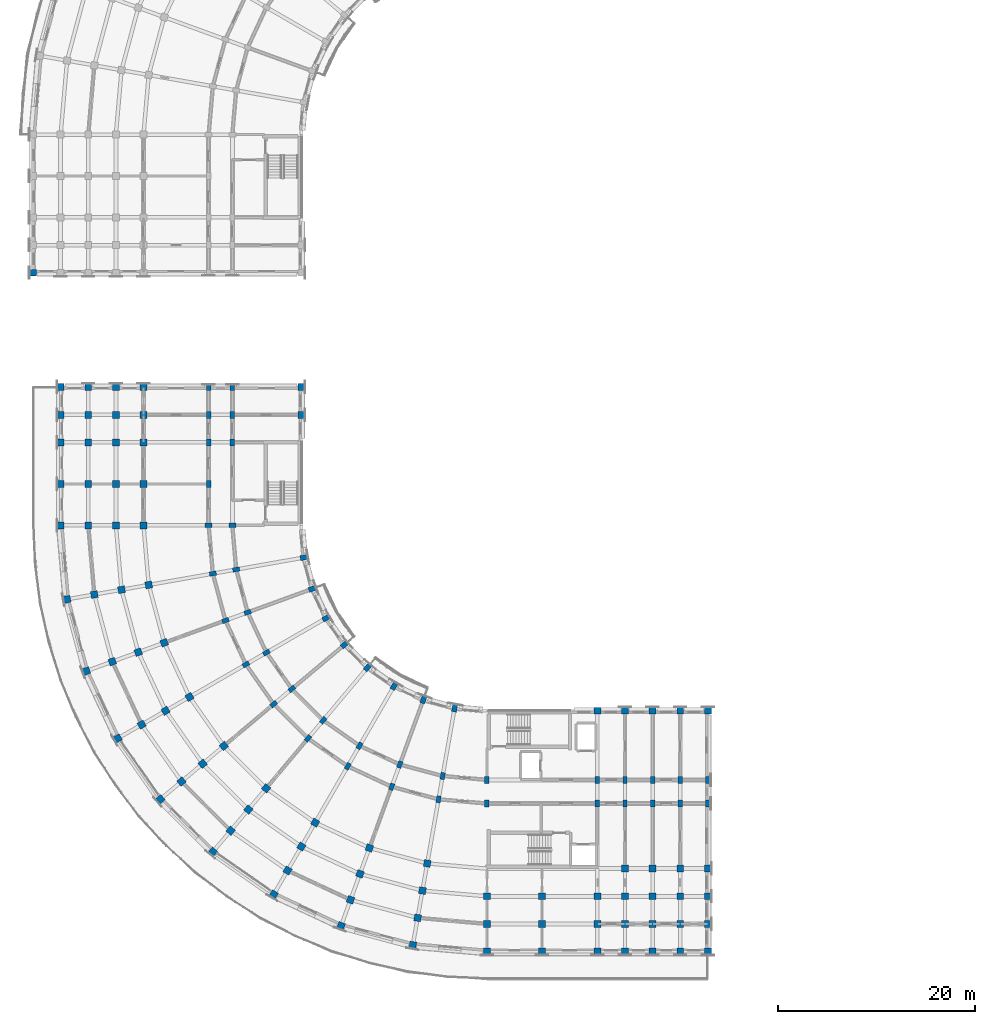
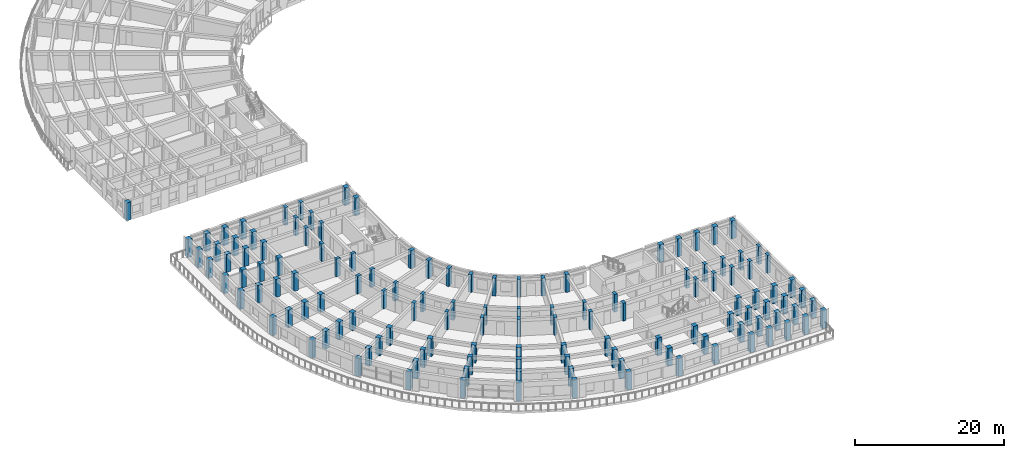
# One storey, part 1 of 57: 130 columns.
"""IFC4 building model written with IfcOpenShell, lengths in metres."""

from ifc_helpers import new_model, si_unit, direction, frame, origin, origin_2d, place, context, subcontext, project, spatial, rectangle, extrude, material, material_profile, profile_set, type_object, element, save


model = new_model("IFC4")

# Units and contexts
model_context = context("Model", 3, precision=1e-05, world=origin(), true_north=direction((0.0, 1.0)))
body_context = subcontext(model_context, "Body", "Model", "MODEL_VIEW")
ifc_project = project(units=[si_unit("LENGTHUNIT", "METRE"), si_unit("AREAUNIT", "SQUARE_METRE"), si_unit("VOLUMEUNIT", "CUBIC_METRE"), si_unit("PLANEANGLEUNIT", "RADIAN"), si_unit("MASSUNIT", "GRAM", prefix="KILO")], contexts=[model_context])

# Site, building, storey
site_placement = place(None, origin())
site = spatial("IfcSite", under=ifc_project, at=site_placement, CompositionType="ELEMENT")
building_placement = place(site_placement, origin())
building = spatial("IfcBuilding", under=site, at=building_placement, Name="Kiranvali Square Residences", CompositionType="ELEMENT")
storey_placement = place(building_placement, frame((0.0, 0.0, 21.300048828125)))
storey = spatial("IfcBuildingStorey", under=building, at=storey_placement, Name="L06", CompositionType="ELEMENT", Elevation=21.300048828125)

# Columns
ifc_material_1 = material(Name="Concrete M45 (45 MPa)", Category="concrete")
ifc_material_profile_1 = material_profile(ifc_material_1, rectangle(XDim=0.699951171875, YDim=0.699951171875, at=origin_2d()), Name="RC 700x700")
ifc_profile_set_1 = profile_set([ifc_material_profile_1], Name="Concrete M45 (45 MPa)")
column_type_1 = type_object("IfcColumnType", Name="COL-M45-700", PredefinedType="COLUMN", material=ifc_profile_set_1)
for number, where, z_axis, x_axis, name in (
    (1, (2.199951171875, 73.800048828125, 0.0), (0.0, 0.0, 1.0), (1.0, 0.0, 0.0), "Block A L06 Arm 2 column V3-R7"),
    (2, (48.199951171875, 10.60009765625, 0.0), (0.0, 0.0, 1.0), (1.0, 0.0, 0.0), "Block C L06 radial column A00-R4"),
    (3, (48.199951171875, 7.800048828125, 0.0), (0.0, 0.0, 1.0), (1.0, 0.0, 0.0), "Block C L06 radial column A00-R5"),
):
    element("IfcColumn", number, at=place(storey_placement, frame(where, z_axis=z_axis, x_axis=x_axis)), inside=storey, type_object=column_type_1, Name=name, PredefinedType="COLUMN", context=body_context, shape_type="SweptSolid", body=[
        extrude(rectangle(XDim=0.699951171875, YDim=0.699951171875, at=origin_2d()), origin(), (0.0, 0.0, 1.0), 2.929931640625),
    ])
column_1_placement = place(storey_placement, frame((48.199951171875, 5.0, 0.0), z_axis=(0.0, 0.0, 1.0), x_axis=(1.0, 0.0, 0.0)))
element("IfcColumn", 4, at=column_1_placement, inside=storey, type_object=column_type_1, Name="Block C L06 radial column A00-R6", PredefinedType="COLUMN", context=body_context, shape_type="SweptSolid", body=[
    extrude(rectangle(XDim=0.699951171875, YDim=0.699951171875, at=origin_2d()), origin(), (0.0, 0.0, 1.0), 2.969970703125),
])
for number, where, z_axis, x_axis, name in (
    (5, (42.156982421875, 13.9287109375, 0.0), (0.0, 0.0, 1.0), (-0.984807753012, 0.173648177667, 0.0), "Block C L06 radial column A01-R3"),
    (6, (41.6708984375, 11.171142578125, 0.0), (0.0, 0.0, 1.0), (-0.984807753012, 0.173648177667, 0.0), "Block C L06 radial column A01-R4"),
    (7, (41.1845703125, 8.413818359375, 0.0), (0.0, 0.0, 1.0), (-0.984807753012, 0.173648177667, 0.0), "Block C L06 radial column A01-R5"),
):
    element("IfcColumn", number, at=place(storey_placement, frame(where, z_axis=z_axis, x_axis=x_axis)), inside=storey, type_object=column_type_1, Name=name, PredefinedType="COLUMN", context=body_context, shape_type="SweptSolid", body=[
        extrude(rectangle(XDim=0.699951171875, YDim=0.699951171875, at=origin_2d()), origin(), (0.0, 0.0, 1.0), 2.929931640625),
    ])
column_2_placement = place(storey_placement, frame((40.698486328125, 5.65625, 0.0), z_axis=(0.0, 0.0, 1.0), x_axis=(-0.984807753012, 0.173648177667, 0.0)))
element("IfcColumn", 8, at=column_2_placement, inside=storey, type_object=column_type_1, Name="Block C L06 radial column A01-R6", PredefinedType="COLUMN", context=body_context, shape_type="SweptSolid", body=[
    extrude(rectangle(XDim=0.699951171875, YDim=0.699951171875, at=origin_2d()), origin(), (0.0, 0.0, 1.0), 2.969970703125),
])
for number, where, z_axis, x_axis, name in (
    (9, (36.297607421875, 15.498779296875, 0.0), (0.0, 0.0, 1.0), (-0.939692620786, 0.342020143326, 0.0), "Block C L06 radial column A02-R3"),
    (10, (35.340087890625, 12.86767578125, 0.0), (0.0, 0.0, 1.0), (-0.939692620786, 0.342020143326, 0.0), "Block C L06 radial column A02-R4"),
    (11, (34.38232421875, 10.236328125, 0.0), (0.0, 0.0, 1.0), (-0.939692620786, 0.342020143326, 0.0), "Block C L06 radial column A02-R5"),
):
    element("IfcColumn", number, at=place(storey_placement, frame(where, z_axis=z_axis, x_axis=x_axis)), inside=storey, type_object=column_type_1, Name=name, PredefinedType="COLUMN", context=body_context, shape_type="SweptSolid", body=[
        extrude(rectangle(XDim=0.699951171875, YDim=0.699951171875, at=origin_2d()), origin(), (0.0, 0.0, 1.0), 2.929931640625),
    ])
column_3_placement = place(storey_placement, frame((33.4248046875, 7.605224609375, 0.0), z_axis=(0.0, 0.0, 1.0), x_axis=(-0.939692620786, 0.342020143326, 0.0)))
element("IfcColumn", 12, at=column_3_placement, inside=storey, type_object=column_type_1, Name="Block C L06 radial column A02-R6", PredefinedType="COLUMN", context=body_context, shape_type="SweptSolid", body=[
    extrude(rectangle(XDim=0.699951171875, YDim=0.699951171875, at=origin_2d()), origin(), (0.0, 0.0, 1.0), 2.969970703125),
])
for number, where, z_axis, x_axis, name in (
    (13, (30.800048828125, 18.062255859375, 0.0), (0.0, 0.0, 1.0), (-0.866025403784, 0.5, 0.0), "Block C L06 radial column A03-R3"),
    (14, (29.39990234375, 15.637451171875, 0.0), (0.0, 0.0, 1.0), (-0.866025403784, 0.5, 0.0), "Block C L06 radial column A03-R4"),
    (15, (28.0, 13.212646484375, 0.0), (0.0, 0.0, 1.0), (-0.866025403784, 0.5, 0.0), "Block C L06 radial column A03-R5"),
):
    element("IfcColumn", number, at=place(storey_placement, frame(where, z_axis=z_axis, x_axis=x_axis)), inside=storey, type_object=column_type_1, Name=name, PredefinedType="COLUMN", context=body_context, shape_type="SweptSolid", body=[
        extrude(rectangle(XDim=0.699951171875, YDim=0.699951171875, at=origin_2d()), origin(), (0.0, 0.0, 1.0), 2.929931640625),
    ])
column_4_placement = place(storey_placement, frame((26.60009765625, 10.78759765625, 0.0), z_axis=(0.0, 0.0, 1.0), x_axis=(-0.866025403784, 0.5, 0.0)))
element("IfcColumn", 16, at=column_4_placement, inside=storey, type_object=column_type_1, Name="Block C L06 radial column A03-R6", PredefinedType="COLUMN", context=body_context, shape_type="SweptSolid", body=[
    extrude(rectangle(XDim=0.699951171875, YDim=0.699951171875, at=origin_2d()), origin(), (0.0, 0.0, 1.0), 2.969970703125),
])
for number, where, z_axis, x_axis, name in (
    (17, (25.8310546875, 21.541748046875, 0.0), (0.0, 0.0, 1.0), (-0.766044443119, 0.642787609687, 0.0), "Block C L06 radial column A04-R3"),
    (18, (24.03125, 19.396728515625, 0.0), (0.0, 0.0, 1.0), (-0.766044443119, 0.642787609687, 0.0), "Block C L06 radial column A04-R4"),
    (19, (22.2314453125, 17.251708984375, 0.0), (0.0, 0.0, 1.0), (-0.766044443119, 0.642787609687, 0.0), "Block C L06 radial column A04-R5"),
):
    element("IfcColumn", number, at=place(storey_placement, frame(where, z_axis=z_axis, x_axis=x_axis)), inside=storey, type_object=column_type_1, Name=name, PredefinedType="COLUMN", context=body_context, shape_type="SweptSolid", body=[
        extrude(rectangle(XDim=0.699951171875, YDim=0.699951171875, at=origin_2d()), origin(), (0.0, 0.0, 1.0), 2.929931640625),
    ])
column_5_placement = place(storey_placement, frame((20.431640625, 15.10693359375, 0.0), z_axis=(0.0, 0.0, 1.0), x_axis=(-0.766044443119, 0.642787609687, 0.0)))
element("IfcColumn", 20, at=column_5_placement, inside=storey, type_object=column_type_1, Name="Block C L06 radial column A04-R6", PredefinedType="COLUMN", context=body_context, shape_type="SweptSolid", body=[
    extrude(rectangle(XDim=0.699951171875, YDim=0.699951171875, at=origin_2d()), origin(), (0.0, 0.0, 1.0), 2.969970703125),
])
for number, where, z_axis, x_axis, name in (
    (21, (21.541748046875, 25.8310546875, 0.0), (0.0, 0.0, 1.0), (-0.642787609687, 0.766044443119, 0.0), "Block C L06 radial column A05-R3"),
    (22, (19.396728515625, 24.03125, 0.0), (0.0, 0.0, 1.0), (-0.642787609687, 0.766044443119, 0.0), "Block C L06 radial column A05-R4"),
    (23, (17.251708984375, 22.2314453125, 0.0), (0.0, 0.0, 1.0), (-0.642787609687, 0.766044443119, 0.0), "Block C L06 radial column A05-R5"),
):
    element("IfcColumn", number, at=place(storey_placement, frame(where, z_axis=z_axis, x_axis=x_axis)), inside=storey, type_object=column_type_1, Name=name, PredefinedType="COLUMN", context=body_context, shape_type="SweptSolid", body=[
        extrude(rectangle(XDim=0.699951171875, YDim=0.699951171875, at=origin_2d()), origin(), (0.0, 0.0, 1.0), 2.929931640625),
    ])
column_6_placement = place(storey_placement, frame((15.10693359375, 20.431640625, 0.0), z_axis=(0.0, 0.0, 1.0), x_axis=(-0.642787609687, 0.766044443119, 0.0)))
element("IfcColumn", 24, at=column_6_placement, inside=storey, type_object=column_type_1, Name="Block C L06 radial column A05-R6", PredefinedType="COLUMN", context=body_context, shape_type="SweptSolid", body=[
    extrude(rectangle(XDim=0.699951171875, YDim=0.699951171875, at=origin_2d()), origin(), (0.0, 0.0, 1.0), 2.969970703125),
])
for number, where, z_axis, x_axis, name in (
    (25, (18.062255859375, 30.800048828125, 0.0), (0.0, 0.0, 1.0), (-0.5, 0.866025403784, 0.0), "Block C L06 radial column A06-R3"),
    (26, (15.637451171875, 29.39990234375, 0.0), (0.0, 0.0, 1.0), (-0.5, 0.866025403784, 0.0), "Block C L06 radial column A06-R4"),
    (27, (13.212646484375, 28.0, 0.0), (0.0, 0.0, 1.0), (-0.5, 0.866025403784, 0.0), "Block C L06 radial column A06-R5"),
):
    element("IfcColumn", number, at=place(storey_placement, frame(where, z_axis=z_axis, x_axis=x_axis)), inside=storey, type_object=column_type_1, Name=name, PredefinedType="COLUMN", context=body_context, shape_type="SweptSolid", body=[
        extrude(rectangle(XDim=0.699951171875, YDim=0.699951171875, at=origin_2d()), origin(), (0.0, 0.0, 1.0), 2.929931640625),
    ])
column_7_placement = place(storey_placement, frame((10.78759765625, 26.60009765625, 0.0), z_axis=(0.0, 0.0, 1.0), x_axis=(-0.5, 0.866025403784, 0.0)))
element("IfcColumn", 28, at=column_7_placement, inside=storey, type_object=column_type_1, Name="Block C L06 radial column A06-R6", PredefinedType="COLUMN", context=body_context, shape_type="SweptSolid", body=[
    extrude(rectangle(XDim=0.699951171875, YDim=0.699951171875, at=origin_2d()), origin(), (0.0, 0.0, 1.0), 2.969970703125),
])
for number, where, z_axis, x_axis, name in (
    (29, (15.498779296875, 36.297607421875, 0.0), (0.0, 0.0, 1.0), (-0.342020143326, 0.939692620786, 0.0), "Block C L06 radial column A07-R3"),
    (30, (12.86767578125, 35.340087890625, 0.0), (0.0, 0.0, 1.0), (-0.342020143326, 0.939692620786, 0.0), "Block C L06 radial column A07-R4"),
    (31, (10.236328125, 34.38232421875, 0.0), (0.0, 0.0, 1.0), (-0.342020143326, 0.939692620786, 0.0), "Block C L06 radial column A07-R5"),
):
    element("IfcColumn", number, at=place(storey_placement, frame(where, z_axis=z_axis, x_axis=x_axis)), inside=storey, type_object=column_type_1, Name=name, PredefinedType="COLUMN", context=body_context, shape_type="SweptSolid", body=[
        extrude(rectangle(XDim=0.699951171875, YDim=0.699951171875, at=origin_2d()), origin(), (0.0, 0.0, 1.0), 2.929931640625),
    ])
column_8_placement = place(storey_placement, frame((7.605224609375, 33.4248046875, 0.0), z_axis=(0.0, 0.0, 1.0), x_axis=(-0.342020143326, 0.939692620786, 0.0)))
element("IfcColumn", 32, at=column_8_placement, inside=storey, type_object=column_type_1, Name="Block C L06 radial column A07-R6", PredefinedType="COLUMN", context=body_context, shape_type="SweptSolid", body=[
    extrude(rectangle(XDim=0.699951171875, YDim=0.699951171875, at=origin_2d()), origin(), (0.0, 0.0, 1.0), 2.969970703125),
])
for number, where, z_axis, x_axis, name in (
    (33, (13.9287109375, 42.156982421875, 0.0), (0.0, 0.0, 1.0), (-0.173648177667, 0.984807753012, 0.0), "Block C L06 radial column A08-R3"),
    (34, (11.171142578125, 41.6708984375, 0.0), (0.0, 0.0, 1.0), (-0.173648177667, 0.984807753012, 0.0), "Block C L06 radial column A08-R4"),
    (35, (8.413818359375, 41.1845703125, 0.0), (0.0, 0.0, 1.0), (-0.173648177667, 0.984807753012, 0.0), "Block C L06 radial column A08-R5"),
):
    element("IfcColumn", number, at=place(storey_placement, frame(where, z_axis=z_axis, x_axis=x_axis)), inside=storey, type_object=column_type_1, Name=name, PredefinedType="COLUMN", context=body_context, shape_type="SweptSolid", body=[
        extrude(rectangle(XDim=0.699951171875, YDim=0.699951171875, at=origin_2d()), origin(), (0.0, 0.0, 1.0), 2.929931640625),
    ])
column_9_placement = place(storey_placement, frame((5.65625, 40.698486328125, 0.0), z_axis=(0.0, 0.0, 1.0), x_axis=(-0.173648177667, 0.984807753012, 0.0)))
element("IfcColumn", 36, at=column_9_placement, inside=storey, type_object=column_type_1, Name="Block C L06 radial column A08-R6", PredefinedType="COLUMN", context=body_context, shape_type="SweptSolid", body=[
    extrude(rectangle(XDim=0.699951171875, YDim=0.699951171875, at=origin_2d()), origin(), (0.0, 0.0, 1.0), 2.969970703125),
])
for number, where, z_axis, x_axis, name in (
    (37, (13.39990234375, 48.199951171875, 0.0), (0.0, 0.0, 1.0), (0.0, 1.0, 0.0), "Block C L06 radial column A09-R3"),
    (38, (10.60009765625, 48.199951171875, 0.0), (0.0, 0.0, 1.0), (0.0, 1.0, 0.0), "Block C L06 radial column A09-R4"),
    (39, (7.800048828125, 48.199951171875, 0.0), (0.0, 0.0, 1.0), (0.0, 1.0, 0.0), "Block C L06 radial column A09-R5"),
):
    element("IfcColumn", number, at=place(storey_placement, frame(where, z_axis=z_axis, x_axis=x_axis)), inside=storey, type_object=column_type_1, Name=name, PredefinedType="COLUMN", context=body_context, shape_type="SweptSolid", body=[
        extrude(rectangle(XDim=0.699951171875, YDim=0.699951171875, at=origin_2d()), origin(), (0.0, 0.0, 1.0), 2.929931640625),
    ])
column_10_placement = place(storey_placement, frame((5.0, 48.199951171875, 0.0), z_axis=(0.0, 0.0, 1.0), x_axis=(0.0, 1.0, 0.0)))
element("IfcColumn", 40, at=column_10_placement, inside=storey, type_object=column_type_1, Name="Block C L06 radial column A09-R6", PredefinedType="COLUMN", context=body_context, shape_type="SweptSolid", body=[
    extrude(rectangle(XDim=0.699951171875, YDim=0.699951171875, at=origin_2d()), origin(), (0.0, 0.0, 1.0), 2.969970703125),
])
for number, where, z_axis, x_axis, name in (
    (41, (53.800048828125, 10.60009765625, 0.0), (0.0, 0.0, 1.0), (1.0, 0.0, 0.0), "Block C L06 core-front column U0-R4"),
    (42, (53.800048828125, 7.800048828125, 0.0), (0.0, 0.0, 1.0), (1.0, 0.0, 0.0), "Block C L06 core-front column U0-R5"),
):
    element("IfcColumn", number, at=place(storey_placement, frame(where, z_axis=z_axis, x_axis=x_axis)), inside=storey, type_object=column_type_1, Name=name, PredefinedType="COLUMN", context=body_context, shape_type="SweptSolid", body=[
        extrude(rectangle(XDim=0.699951171875, YDim=0.699951171875, at=origin_2d()), origin(), (0.0, 0.0, 1.0), 2.929931640625),
    ])
column_11_placement = place(storey_placement, frame((53.800048828125, 5.0, 0.0), z_axis=(0.0, 0.0, 1.0), x_axis=(1.0, 0.0, 0.0)))
element("IfcColumn", 43, at=column_11_placement, inside=storey, type_object=column_type_1, Name="Block C L06 core-front column U0-R6", PredefinedType="COLUMN", context=body_context, shape_type="SweptSolid", body=[
    extrude(rectangle(XDim=0.699951171875, YDim=0.699951171875, at=origin_2d()), origin(), (0.0, 0.0, 1.0), 2.969970703125),
])
for number, where, z_axis, x_axis, name in (
    (44, (59.39990234375, 29.39990234375, 0.0), (0.0, 0.0, 1.0), (1.0, 0.0, 0.0), "Block C L06 Arm 1 column U1-R0"),
    (45, (59.39990234375, 10.60009765625, 0.0), (0.0, 0.0, 1.0), (1.0, 0.0, 0.0), "Block C L06 Arm 1 column U1-R4"),
    (46, (59.39990234375, 7.800048828125, 0.0), (0.0, 0.0, 1.0), (1.0, 0.0, 0.0), "Block C L06 Arm 1 column U1-R5"),
):
    element("IfcColumn", number, at=place(storey_placement, frame(where, z_axis=z_axis, x_axis=x_axis)), inside=storey, type_object=column_type_1, Name=name, PredefinedType="COLUMN", context=body_context, shape_type="SweptSolid", body=[
        extrude(rectangle(XDim=0.699951171875, YDim=0.699951171875, at=origin_2d()), origin(), (0.0, 0.0, 1.0), 2.929931640625),
    ])
column_12_placement = place(storey_placement, frame((59.39990234375, 5.0, 0.0), z_axis=(0.0, 0.0, 1.0), x_axis=(1.0, 0.0, 0.0)))
element("IfcColumn", 47, at=column_12_placement, inside=storey, type_object=column_type_1, Name="Block C L06 Arm 1 column U1-R6", PredefinedType="COLUMN", context=body_context, shape_type="SweptSolid", body=[
    extrude(rectangle(XDim=0.699951171875, YDim=0.699951171875, at=origin_2d()), origin(), (0.0, 0.0, 1.0), 2.969970703125),
])
for number, where, z_axis, x_axis, name in (
    (48, (62.199951171875, 29.39990234375, 0.0), (0.0, 0.0, 1.0), (1.0, 0.0, 0.0), "Block C L06 Arm 1 column U2-R0"),
    (49, (62.199951171875, 13.39990234375, 0.0), (0.0, 0.0, 1.0), (1.0, 0.0, 0.0), "Block C L06 Arm 1 column U2-R3"),
    (50, (62.199951171875, 10.60009765625, 0.0), (0.0, 0.0, 1.0), (1.0, 0.0, 0.0), "Block C L06 Arm 1 column U2-R4"),
    (51, (62.199951171875, 7.800048828125, 0.0), (0.0, 0.0, 1.0), (1.0, 0.0, 0.0), "Block C L06 Arm 1 column U2-R5"),
):
    element("IfcColumn", number, at=place(storey_placement, frame(where, z_axis=z_axis, x_axis=x_axis)), inside=storey, type_object=column_type_1, Name=name, PredefinedType="COLUMN", context=body_context, shape_type="SweptSolid", body=[
        extrude(rectangle(XDim=0.699951171875, YDim=0.699951171875, at=origin_2d()), origin(), (0.0, 0.0, 1.0), 2.929931640625),
    ])
column_13_placement = place(storey_placement, frame((62.199951171875, 5.0, 0.0), z_axis=(0.0, 0.0, 1.0), x_axis=(1.0, 0.0, 0.0)))
element("IfcColumn", 52, at=column_13_placement, inside=storey, type_object=column_type_1, Name="Block C L06 Arm 1 column U2-R6", PredefinedType="COLUMN", context=body_context, shape_type="SweptSolid", body=[
    extrude(rectangle(XDim=0.699951171875, YDim=0.699951171875, at=origin_2d()), origin(), (0.0, 0.0, 1.0), 2.969970703125),
])
for number, where, z_axis, x_axis, name in (
    (53, (65.0, 29.39990234375, 0.0), (0.0, 0.0, 1.0), (1.0, 0.0, 0.0), "Block C L06 Arm 1 column U3-R0"),
    (54, (65.0, 13.39990234375, 0.0), (0.0, 0.0, 1.0), (1.0, 0.0, 0.0), "Block C L06 Arm 1 column U3-R3"),
    (55, (65.0, 10.60009765625, 0.0), (0.0, 0.0, 1.0), (1.0, 0.0, 0.0), "Block C L06 Arm 1 column U3-R4"),
    (56, (65.0, 7.800048828125, 0.0), (0.0, 0.0, 1.0), (1.0, 0.0, 0.0), "Block C L06 Arm 1 column U3-R5"),
):
    element("IfcColumn", number, at=place(storey_placement, frame(where, z_axis=z_axis, x_axis=x_axis)), inside=storey, type_object=column_type_1, Name=name, PredefinedType="COLUMN", context=body_context, shape_type="SweptSolid", body=[
        extrude(rectangle(XDim=0.699951171875, YDim=0.699951171875, at=origin_2d()), origin(), (0.0, 0.0, 1.0), 2.929931640625),
    ])
column_14_placement = place(storey_placement, frame((65.0, 5.0, 0.0), z_axis=(0.0, 0.0, 1.0), x_axis=(1.0, 0.0, 0.0)))
element("IfcColumn", 57, at=column_14_placement, inside=storey, type_object=column_type_1, Name="Block C L06 Arm 1 column U3-R6", PredefinedType="COLUMN", context=body_context, shape_type="SweptSolid", body=[
    extrude(rectangle(XDim=0.699951171875, YDim=0.699951171875, at=origin_2d()), origin(), (0.0, 0.0, 1.0), 2.969970703125),
])
for number, where, z_axis, x_axis, name in (
    (58, (67.800048828125, 29.39990234375, 0.0), (0.0, 0.0, 1.0), (1.0, 0.0, 0.0), "Block C L06 Arm 1 column U4-R0"),
    (59, (67.800048828125, 13.39990234375, 0.0), (0.0, 0.0, 1.0), (1.0, 0.0, 0.0), "Block C L06 Arm 1 column U4-R3"),
    (60, (67.800048828125, 10.60009765625, 0.0), (0.0, 0.0, 1.0), (1.0, 0.0, 0.0), "Block C L06 Arm 1 column U4-R4"),
    (61, (67.800048828125, 7.800048828125, 0.0), (0.0, 0.0, 1.0), (1.0, 0.0, 0.0), "Block C L06 Arm 1 column U4-R5"),
):
    element("IfcColumn", number, at=place(storey_placement, frame(where, z_axis=z_axis, x_axis=x_axis)), inside=storey, type_object=column_type_1, Name=name, PredefinedType="COLUMN", context=body_context, shape_type="SweptSolid", body=[
        extrude(rectangle(XDim=0.699951171875, YDim=0.699951171875, at=origin_2d()), origin(), (0.0, 0.0, 1.0), 2.929931640625),
    ])
column_15_placement = place(storey_placement, frame((67.800048828125, 5.0, 0.0), z_axis=(0.0, 0.0, 1.0), x_axis=(1.0, 0.0, 0.0)))
element("IfcColumn", 62, at=column_15_placement, inside=storey, type_object=column_type_1, Name="Block C L06 Arm 1 column U4-R6", PredefinedType="COLUMN", context=body_context, shape_type="SweptSolid", body=[
    extrude(rectangle(XDim=0.699951171875, YDim=0.699951171875, at=origin_2d()), origin(), (0.0, 0.0, 1.0), 2.969970703125),
])
for number, where, z_axis, x_axis, name in (
    (63, (70.60009765625, 29.39990234375, 0.0), (0.0, 0.0, 1.0), (1.0, 0.0, 0.0), "Block C L06 Arm 1 column U5-R0"),
    (64, (70.60009765625, 13.39990234375, 0.0), (0.0, 0.0, 1.0), (1.0, 0.0, 0.0), "Block C L06 Arm 1 column U5-R3"),
    (65, (70.60009765625, 10.60009765625, 0.0), (0.0, 0.0, 1.0), (1.0, 0.0, 0.0), "Block C L06 Arm 1 column U5-R4"),
    (66, (70.60009765625, 7.800048828125, 0.0), (0.0, 0.0, 1.0), (1.0, 0.0, 0.0), "Block C L06 Arm 1 column U5-R5"),
):
    element("IfcColumn", number, at=place(storey_placement, frame(where, z_axis=z_axis, x_axis=x_axis)), inside=storey, type_object=column_type_1, Name=name, PredefinedType="COLUMN", context=body_context, shape_type="SweptSolid", body=[
        extrude(rectangle(XDim=0.699951171875, YDim=0.699951171875, at=origin_2d()), origin(), (0.0, 0.0, 1.0), 2.929931640625),
    ])
column_16_placement = place(storey_placement, frame((70.60009765625, 5.0, 0.0), z_axis=(0.0, 0.0, 1.0), x_axis=(1.0, 0.0, 0.0)))
element("IfcColumn", 67, at=column_16_placement, inside=storey, type_object=column_type_1, Name="Block C L06 Arm 1 column U5-R6", PredefinedType="COLUMN", context=body_context, shape_type="SweptSolid", body=[
    extrude(rectangle(XDim=0.699951171875, YDim=0.699951171875, at=origin_2d()), origin(), (0.0, 0.0, 1.0), 2.969970703125),
])
for number, where, z_axis, x_axis, name in (
    (68, (13.39990234375, 52.39990234375, 0.0), (0.0, 0.0, 1.0), (1.0, 0.0, 0.0), "Block C L06 Arm 2 mid-core column V0-R3"),
    (69, (10.60009765625, 52.39990234375, 0.0), (0.0, 0.0, 1.0), (1.0, 0.0, 0.0), "Block C L06 Arm 2 mid-core column V0-R4"),
    (70, (7.800048828125, 52.39990234375, 0.0), (0.0, 0.0, 1.0), (1.0, 0.0, 0.0), "Block C L06 Arm 2 mid-core column V0-R5"),
):
    element("IfcColumn", number, at=place(storey_placement, frame(where, z_axis=z_axis, x_axis=x_axis)), inside=storey, type_object=column_type_1, Name=name, PredefinedType="COLUMN", context=body_context, shape_type="SweptSolid", body=[
        extrude(rectangle(XDim=0.699951171875, YDim=0.699951171875, at=origin_2d()), origin(), (0.0, 0.0, 1.0), 2.929931640625),
    ])
column_17_placement = place(storey_placement, frame((5.0, 52.39990234375, 0.0), z_axis=(0.0, 0.0, 1.0), x_axis=(1.0, 0.0, 0.0)))
element("IfcColumn", 71, at=column_17_placement, inside=storey, type_object=column_type_1, Name="Block C L06 Arm 2 mid-core column V0-R6", PredefinedType="COLUMN", context=body_context, shape_type="SweptSolid", body=[
    extrude(rectangle(XDim=0.699951171875, YDim=0.699951171875, at=origin_2d()), origin(), (0.0, 0.0, 1.0), 2.969970703125),
])
for number, where, z_axis, x_axis, name in (
    (72, (13.39990234375, 56.60009765625, 0.0), (0.0, 0.0, 1.0), (1.0, 0.0, 0.0), "Block C L06 Arm 2 column V1-R3"),
    (73, (10.60009765625, 56.60009765625, 0.0), (0.0, 0.0, 1.0), (1.0, 0.0, 0.0), "Block C L06 Arm 2 column V1-R4"),
    (74, (7.800048828125, 56.60009765625, 0.0), (0.0, 0.0, 1.0), (1.0, 0.0, 0.0), "Block C L06 Arm 2 column V1-R5"),
):
    element("IfcColumn", number, at=place(storey_placement, frame(where, z_axis=z_axis, x_axis=x_axis)), inside=storey, type_object=column_type_1, Name=name, PredefinedType="COLUMN", context=body_context, shape_type="SweptSolid", body=[
        extrude(rectangle(XDim=0.699951171875, YDim=0.699951171875, at=origin_2d()), origin(), (0.0, 0.0, 1.0), 2.929931640625),
    ])
column_18_placement = place(storey_placement, frame((5.0, 56.60009765625, 0.0), z_axis=(0.0, 0.0, 1.0), x_axis=(1.0, 0.0, 0.0)))
element("IfcColumn", 75, at=column_18_placement, inside=storey, type_object=column_type_1, Name="Block C L06 Arm 2 column V1-R6", PredefinedType="COLUMN", context=body_context, shape_type="SweptSolid", body=[
    extrude(rectangle(XDim=0.699951171875, YDim=0.699951171875, at=origin_2d()), origin(), (0.0, 0.0, 1.0), 2.969970703125),
])
for number, where, z_axis, x_axis, name in (
    (76, (29.39990234375, 59.39990234375, 0.0), (0.0, 0.0, 1.0), (1.0, 0.0, 0.0), "Block C L06 Arm 2 column V2-R0"),
    (77, (13.39990234375, 59.39990234375, 0.0), (0.0, 0.0, 1.0), (1.0, 0.0, 0.0), "Block C L06 Arm 2 column V2-R3"),
    (78, (10.60009765625, 59.39990234375, 0.0), (0.0, 0.0, 1.0), (1.0, 0.0, 0.0), "Block C L06 Arm 2 column V2-R4"),
    (79, (7.800048828125, 59.39990234375, 0.0), (0.0, 0.0, 1.0), (1.0, 0.0, 0.0), "Block C L06 Arm 2 column V2-R5"),
):
    element("IfcColumn", number, at=place(storey_placement, frame(where, z_axis=z_axis, x_axis=x_axis)), inside=storey, type_object=column_type_1, Name=name, PredefinedType="COLUMN", context=body_context, shape_type="SweptSolid", body=[
        extrude(rectangle(XDim=0.699951171875, YDim=0.699951171875, at=origin_2d()), origin(), (0.0, 0.0, 1.0), 2.929931640625),
    ])
column_19_placement = place(storey_placement, frame((5.0, 59.39990234375, 0.0), z_axis=(0.0, 0.0, 1.0), x_axis=(1.0, 0.0, 0.0)))
element("IfcColumn", 80, at=column_19_placement, inside=storey, type_object=column_type_1, Name="Block C L06 Arm 2 column V2-R6", PredefinedType="COLUMN", context=body_context, shape_type="SweptSolid", body=[
    extrude(rectangle(XDim=0.699951171875, YDim=0.699951171875, at=origin_2d()), origin(), (0.0, 0.0, 1.0), 2.969970703125),
])
for number, where, z_axis, x_axis, name in (
    (81, (29.39990234375, 62.199951171875, 0.0), (0.0, 0.0, 1.0), (1.0, 0.0, 0.0), "Block C L06 Arm 2 column V3-R0"),
    (82, (13.39990234375, 62.199951171875, 0.0), (0.0, 0.0, 1.0), (1.0, 0.0, 0.0), "Block C L06 Arm 2 column V3-R3"),
    (83, (10.60009765625, 62.199951171875, 0.0), (0.0, 0.0, 1.0), (1.0, 0.0, 0.0), "Block C L06 Arm 2 column V3-R4"),
    (84, (7.800048828125, 62.199951171875, 0.0), (0.0, 0.0, 1.0), (1.0, 0.0, 0.0), "Block C L06 Arm 2 column V3-R5"),
):
    element("IfcColumn", number, at=place(storey_placement, frame(where, z_axis=z_axis, x_axis=x_axis)), inside=storey, type_object=column_type_1, Name=name, PredefinedType="COLUMN", context=body_context, shape_type="SweptSolid", body=[
        extrude(rectangle(XDim=0.699951171875, YDim=0.699951171875, at=origin_2d()), origin(), (0.0, 0.0, 1.0), 2.929931640625),
    ])
column_20_placement = place(storey_placement, frame((5.0, 62.199951171875, 0.0), z_axis=(0.0, 0.0, 1.0), x_axis=(1.0, 0.0, 0.0)))
element("IfcColumn", 85, at=column_20_placement, inside=storey, type_object=column_type_1, Name="Block C L06 Arm 2 column V3-R6", PredefinedType="COLUMN", context=body_context, shape_type="SweptSolid", body=[
    extrude(rectangle(XDim=0.699951171875, YDim=0.699951171875, at=origin_2d()), origin(), (0.0, 0.0, 1.0), 2.969970703125),
])
ifc_material_profile_2 = material_profile(ifc_material_1, rectangle(XDim=0.449951171875, YDim=0.699951171875, at=origin_2d()), Name="RC 700x450")
ifc_profile_set_2 = profile_set([ifc_material_profile_2], Name="Concrete M45 (45 MPa)")
column_type_2 = type_object("IfcColumnType", Name="COL-M45-700x450", PredefinedType="COLUMN", material=ifc_profile_set_2)
for number, where, z_axis, x_axis, name in (
    (86, (48.199951171875, 22.39990234375, 0.0), (0.0, 0.0, 1.0), (1.0, 0.0, 0.0), "Block C L06 radial column A00-R1"),
    (87, (48.199951171875, 20.0, 0.0), (0.0, 0.0, 1.0), (1.0, 0.0, 0.0), "Block C L06 radial column A00-R2"),
    (88, (43.719970703125, 22.7919921875, 0.0), (0.0, 0.0, 1.0), (-0.984807753012, 0.173648177667, 0.0), "Block C L06 radial column A01-R1"),
    (89, (43.30322265625, 20.428466796875, 0.0), (0.0, 0.0, 1.0), (-0.984807753012, 0.173648177667, 0.0), "Block C L06 radial column A01-R2"),
    (90, (39.3759765625, 23.955810546875, 0.0), (0.0, 0.0, 1.0), (-0.939692620786, 0.342020143326, 0.0), "Block C L06 radial column A02-R1"),
    (91, (38.554931640625, 21.70068359375, 0.0), (0.0, 0.0, 1.0), (-0.939692620786, 0.342020143326, 0.0), "Block C L06 radial column A02-R2"),
    (92, (35.300048828125, 25.8564453125, 0.0), (0.0, 0.0, 1.0), (-0.866025403784, 0.5, 0.0), "Block C L06 radial column A03-R1"),
    (93, (34.10009765625, 23.778076171875, 0.0), (0.0, 0.0, 1.0), (-0.866025403784, 0.5, 0.0), "Block C L06 radial column A03-R2"),
    (94, (31.615966796875, 28.43603515625, 0.0), (0.0, 0.0, 1.0), (-0.766044443119, 0.642787609687, 0.0), "Block C L06 radial column A04-R1"),
    (95, (30.073486328125, 26.59765625, 0.0), (0.0, 0.0, 1.0), (-0.766044443119, 0.642787609687, 0.0), "Block C L06 radial column A04-R2"),
    (96, (28.43603515625, 31.615966796875, 0.0), (0.0, 0.0, 1.0), (-0.642787609687, 0.766044443119, 0.0), "Block C L06 radial column A05-R1"),
    (97, (26.59765625, 30.073486328125, 0.0), (0.0, 0.0, 1.0), (-0.642787609687, 0.766044443119, 0.0), "Block C L06 radial column A05-R2"),
    (98, (25.8564453125, 35.300048828125, 0.0), (0.0, 0.0, 1.0), (-0.5, 0.866025403784, 0.0), "Block C L06 radial column A06-R1"),
    (99, (23.778076171875, 34.10009765625, 0.0), (0.0, 0.0, 1.0), (-0.5, 0.866025403784, 0.0), "Block C L06 radial column A06-R2"),
    (100, (23.955810546875, 39.3759765625, 0.0), (0.0, 0.0, 1.0), (-0.342020143326, 0.939692620786, 0.0), "Block C L06 radial column A07-R1"),
    (101, (21.70068359375, 38.554931640625, 0.0), (0.0, 0.0, 1.0), (-0.342020143326, 0.939692620786, 0.0), "Block C L06 radial column A07-R2"),
    (102, (22.7919921875, 43.719970703125, 0.0), (0.0, 0.0, 1.0), (-0.173648177667, 0.984807753012, 0.0), "Block C L06 radial column A08-R1"),
    (103, (20.428466796875, 43.30322265625, 0.0), (0.0, 0.0, 1.0), (-0.173648177667, 0.984807753012, 0.0), "Block C L06 radial column A08-R2"),
    (104, (22.39990234375, 48.199951171875, 0.0), (0.0, 0.0, 1.0), (0.0, 1.0, 0.0), "Block C L06 radial column A09-R1"),
    (105, (20.0, 48.199951171875, 0.0), (0.0, 0.0, 1.0), (0.0, 1.0, 0.0), "Block C L06 radial column A09-R2"),
    (106, (59.39990234375, 22.39990234375, 0.0), (0.0, 0.0, 1.0), (1.0, 0.0, 0.0), "Block C L06 Arm 1 column U1-R1"),
    (107, (59.39990234375, 20.0, 0.0), (0.0, 0.0, 1.0), (1.0, 0.0, 0.0), "Block C L06 Arm 1 column U1-R2"),
    (108, (62.199951171875, 22.39990234375, 0.0), (0.0, 0.0, 1.0), (1.0, 0.0, 0.0), "Block C L06 Arm 1 column U2-R1"),
    (109, (62.199951171875, 20.0, 0.0), (0.0, 0.0, 1.0), (1.0, 0.0, 0.0), "Block C L06 Arm 1 column U2-R2"),
    (110, (65.0, 22.39990234375, 0.0), (0.0, 0.0, 1.0), (1.0, 0.0, 0.0), "Block C L06 Arm 1 column U3-R1"),
    (111, (65.0, 20.0, 0.0), (0.0, 0.0, 1.0), (1.0, 0.0, 0.0), "Block C L06 Arm 1 column U3-R2"),
    (112, (67.800048828125, 22.39990234375, 0.0), (0.0, 0.0, 1.0), (1.0, 0.0, 0.0), "Block C L06 Arm 1 column U4-R1"),
    (113, (67.800048828125, 20.0, 0.0), (0.0, 0.0, 1.0), (1.0, 0.0, 0.0), "Block C L06 Arm 1 column U4-R2"),
    (114, (70.60009765625, 22.39990234375, 0.0), (0.0, 0.0, 1.0), (1.0, 0.0, 0.0), "Block C L06 Arm 1 column U5-R1"),
    (115, (70.60009765625, 20.0, 0.0), (0.0, 0.0, 1.0), (1.0, 0.0, 0.0), "Block C L06 Arm 1 column U5-R2"),
    (116, (20.0, 52.39990234375, 0.0), (0.0, 0.0, 1.0), (1.0, 0.0, 0.0), "Block C L06 Arm 2 mid-core column V0-R2"),
    (117, (22.39990234375, 56.60009765625, 0.0), (0.0, 0.0, 1.0), (1.0, 0.0, 0.0), "Block C L06 Arm 2 column V1-R1"),
    (118, (20.0, 56.60009765625, 0.0), (0.0, 0.0, 1.0), (1.0, 0.0, 0.0), "Block C L06 Arm 2 column V1-R2"),
    (119, (22.39990234375, 59.39990234375, 0.0), (0.0, 0.0, 1.0), (1.0, 0.0, 0.0), "Block C L06 Arm 2 column V2-R1"),
    (120, (20.0, 59.39990234375, 0.0), (0.0, 0.0, 1.0), (1.0, 0.0, 0.0), "Block C L06 Arm 2 column V2-R2"),
    (121, (22.39990234375, 62.199951171875, 0.0), (0.0, 0.0, 1.0), (1.0, 0.0, 0.0), "Block C L06 Arm 2 column V3-R1"),
    (122, (20.0, 62.199951171875, 0.0), (0.0, 0.0, 1.0), (1.0, 0.0, 0.0), "Block C L06 Arm 2 column V3-R2"),
):
    element("IfcColumn", number, at=place(storey_placement, frame(where, z_axis=z_axis, x_axis=x_axis)), inside=storey, type_object=column_type_2, Name=name, PredefinedType="COLUMN", context=body_context, shape_type="SweptSolid", body=[
        extrude(rectangle(XDim=0.449951171875, YDim=0.699951171875, at=origin_2d()), origin(), (0.0, 0.0, 1.0), 2.929931640625),
    ])
ifc_material_2 = material(Name="Concrete M50 (50 MPa)", Category="concrete")
ifc_material_profile_3 = material_profile(ifc_material_2, rectangle(XDim=0.5, YDim=0.800048828125, at=origin_2d()), Name="RC 800x500")
ifc_profile_set_3 = profile_set([ifc_material_profile_3], Name="Concrete M50 (50 MPa)")
column_type_3 = type_object("IfcColumnType", Name="COL-M50-800x500", PredefinedType="COLUMN", material=ifc_profile_set_3)
for number, where, z_axis, x_axis, name in (
    (123, (44.935302734375, 29.685546875, 0.0), (0.0, 0.0, 1.0), (-0.984807753012, 0.173648177667, 0.0), "Block C L06 radial column A01-R0"),
    (124, (41.77001953125, 30.53369140625, 0.0), (0.0, 0.0, 1.0), (-0.939692620786, 0.342020143326, 0.0), "Block C L06 radial column A02-R0"),
    (125, (38.800048828125, 31.918701171875, 0.0), (0.0, 0.0, 1.0), (-0.866025403784, 0.5, 0.0), "Block C L06 radial column A03-R0"),
    (126, (36.115478515625, 33.79833984375, 0.0), (0.0, 0.0, 1.0), (-0.766044443119, 0.642787609687, 0.0), "Block C L06 radial column A04-R0"),
    (127, (33.79833984375, 36.115478515625, 0.0), (0.0, 0.0, 1.0), (-0.642787609687, 0.766044443119, 0.0), "Block C L06 radial column A05-R0"),
    (128, (31.918701171875, 38.800048828125, 0.0), (0.0, 0.0, 1.0), (-0.5, 0.866025403784, 0.0), "Block C L06 radial column A06-R0"),
    (129, (30.53369140625, 41.77001953125, 0.0), (0.0, 0.0, 1.0), (-0.342020143326, 0.939692620786, 0.0), "Block C L06 radial column A07-R0"),
    (130, (29.685546875, 44.935302734375, 0.0), (0.0, 0.0, 1.0), (-0.173648177667, 0.984807753012, 0.0), "Block C L06 radial column A08-R0"),
):
    element("IfcColumn", number, at=place(storey_placement, frame(where, z_axis=z_axis, x_axis=x_axis)), inside=storey, type_object=column_type_3, Name=name, PredefinedType="COLUMN", context=body_context, shape_type="SweptSolid", body=[
        extrude(rectangle(XDim=0.5, YDim=0.800048828125, at=origin_2d()), origin(), (0.0, 0.0, 1.0), 2.929931640625),
    ])

save(model, "model.ifc")
